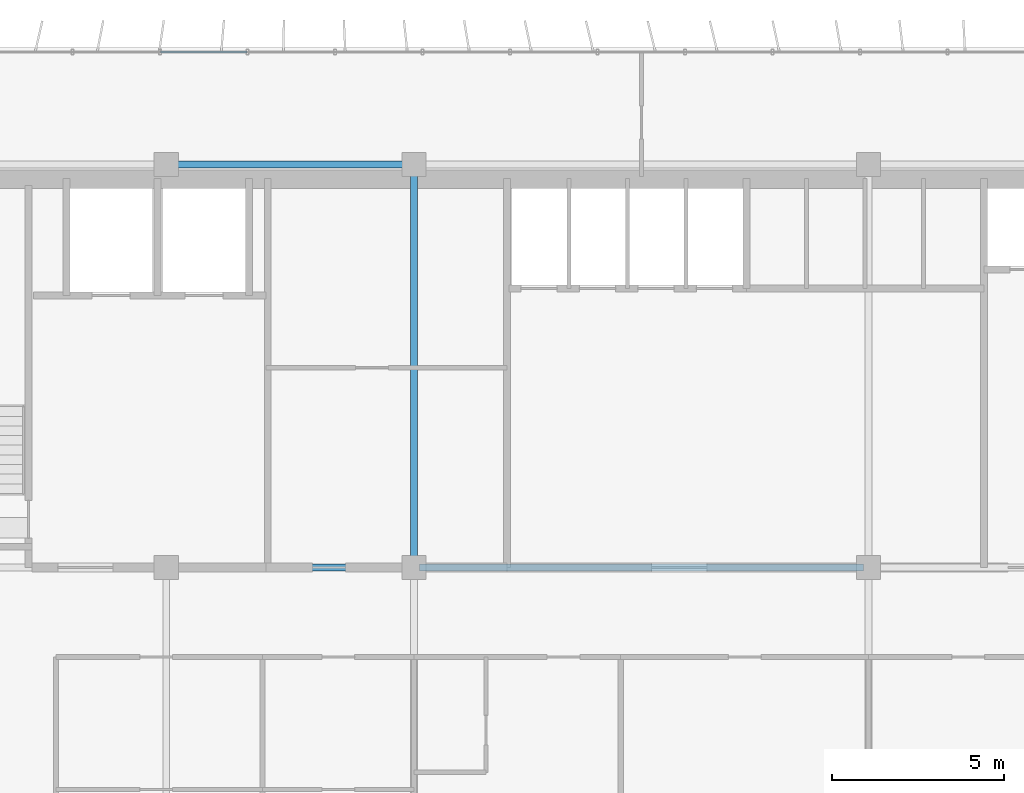
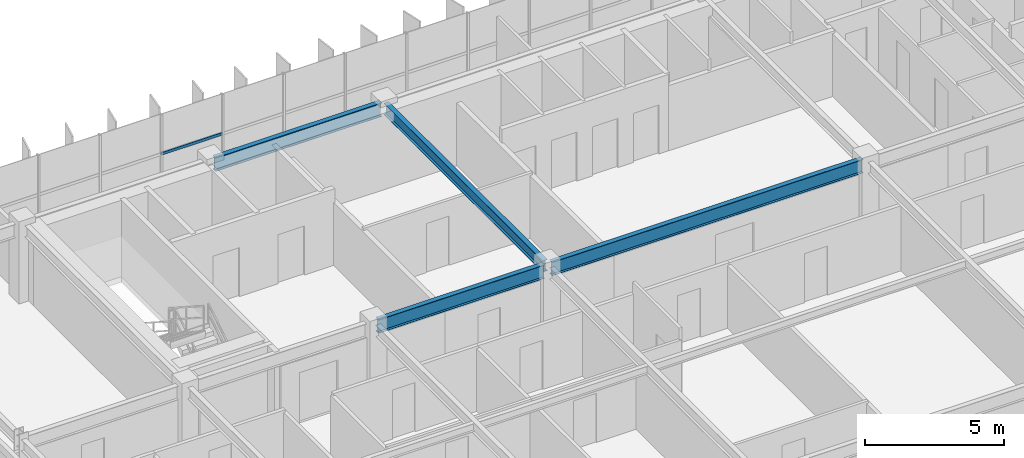
# One storey, part 5 of 21: 4 beams, 1 member, 1 element without a shape of its own.
"""IFC4 building model written with IfcOpenShell, lengths in metres."""

from ifc_helpers import new_model, si_unit, direction, frame, origin, origin_2d, place, context, subcontext, project, spatial, hollow_rectangle, i_section, extrude, source, transform, mapped, material, material_profile, profile_set, type_object, element, aggregate, save


model = new_model("IFC4")

# Units and contexts
model_context = context("Model", 3, precision=1e-05, world=origin(), true_north=direction((0.0, 1.0)))
body_context = subcontext(model_context, "Body", "Model", "MODEL_VIEW")
ifc_project = project(units=[si_unit("LENGTHUNIT", "METRE"), si_unit("AREAUNIT", "SQUARE_METRE"), si_unit("VOLUMEUNIT", "CUBIC_METRE"), si_unit("PLANEANGLEUNIT", "RADIAN"), si_unit("MASSUNIT", "GRAM", prefix="KILO")], contexts=[model_context])

# Site, building, storey
site_placement = place(None, origin())
site = spatial("IfcSite", under=ifc_project, at=site_placement, CompositionType="ELEMENT")
building_placement = place(site_placement, origin())
building = spatial("IfcBuilding", under=site, at=building_placement, Name="Trelvane Seafront Commons", CompositionType="ELEMENT")
storey_placement = place(building_placement, frame((0.0, 0.0, 153.699951171875)))
storey = spatial("IfcBuildingStorey", under=building, at=storey_placement, Name="L40", CompositionType="ELEMENT", Elevation=153.699951171875)

# Beams
ifc_material_1 = material(Name="Steel SM355 (S355)", Category="steel")
ifc_material_profile_1 = material_profile(ifc_material_1, i_section(OverallWidth=0.199951171875, OverallDepth=0.5, WebThickness=0.010009765625, FlangeThickness=0.01611328125, at=origin_2d()), Name="H-500x200x10x16")
ifc_profile_set_1 = profile_set([ifc_material_profile_1], Name="Steel SM355 (S355)")
beam_type_1 = type_object("IfcBeamType", Name="STR-BM-H500", PredefinedType="BEAM", material=ifc_profile_set_1)
shared_shape_1 = source(origin(), body_context, "Body", "SweptSolid", [
    extrude(i_section(OverallWidth=0.199951171875, OverallDepth=0.5, WebThickness=0.010009765625, FlangeThickness=0.01611328125, at=origin_2d()), origin(), (0.0, 0.0, 1.0), 11.39990234375),
])
beam_1_placement = place(storey_placement, frame((30.60009765625, 33.550048828125, 3.10009765625), z_axis=(0.0, 1.0, 0.0), x_axis=(-1.0, 0.0, 0.0)))
element("IfcBeam", 1, at=beam_1_placement, inside=storey, type_object=beam_type_1, Name="L40 Primary Girder G-40", PredefinedType="BEAM", context=body_context, shape_type="MappedRepresentation", body=[
    mapped(shared_shape_1, transform((0.0, 0.0, 0.0), x_axis=(1.0, 0.0, 0.0), y_axis=(0.0, 1.0, 0.0), z_axis=(0.0, 0.0, 1.0), scale=1.0)),
])
ifc_material_profile_2 = material_profile(ifc_material_1, i_section(OverallWidth=0.199951171875, OverallDepth=0.60009765625, WebThickness=0.010986328125, FlangeThickness=0.01708984375, at=origin_2d()), Name="H-600x200x11x17")
ifc_profile_set_2 = profile_set([ifc_material_profile_2], Name="Steel SM355 (S355)")
beam_type_2 = type_object("IfcBeamType", Name="STR-SPD-H600", PredefinedType="SPANDREL", material=ifc_profile_set_2)
shared_shape_2 = source(origin(), body_context, "Body", "SweptSolid", [
    extrude(i_section(OverallWidth=0.199951171875, OverallDepth=0.60009765625, WebThickness=0.010986328125, FlangeThickness=0.01708984375, at=origin_2d()), origin(), (0.0, 0.0, 1.0), 12.89990234375),
])
beam_2_placement = place(storey_placement, frame((30.75, 33.39990234375, 3.050048828125), z_axis=(1.0, 0.0, 0.0), x_axis=(0.0, 1.0, 0.0)))
element("IfcBeam", 2, at=beam_2_placement, inside=storey, type_object=beam_type_2, Name="L40 Primary Girder G-18", PredefinedType="SPANDREL", context=body_context, shape_type="MappedRepresentation", body=[
    mapped(shared_shape_2, transform((0.0, 0.0, 0.0), x_axis=(1.0, 0.0, 0.0), y_axis=(0.0, 1.0, 0.0), z_axis=(0.0, 0.0, 1.0), scale=1.0)),
])
shared_shape_3 = source(origin(), body_context, "Body", "SweptSolid", [
    extrude(i_section(OverallWidth=0.199951171875, OverallDepth=0.60009765625, WebThickness=0.010986328125, FlangeThickness=0.01708984375, at=origin_2d()), origin(), (0.0, 0.0, 1.0), 6.89990234375),
])
for number, where, z_axis, x_axis, name in (
    (3, (23.550048828125, 33.39990234375, 3.050048828125), (1.0, 0.0, 0.0), (0.0, 1.0, 0.0), "L40 Primary Girder G-17"),
    (4, (23.550048828125, 45.10009765625, 3.050048828125), (1.0, 0.0, 0.0), (0.0, 1.0, 0.0), "L40 Primary Girder G-24"),
):
    element("IfcBeam", number, at=place(storey_placement, frame(where, z_axis=z_axis, x_axis=x_axis)), inside=storey, type_object=beam_type_2, Name=name, PredefinedType="SPANDREL", context=body_context, shape_type="MappedRepresentation", body=[
        mapped(shared_shape_3, transform((0.0, 0.0, 0.0), x_axis=(1.0, 0.0, 0.0), y_axis=(0.0, 1.0, 0.0), z_axis=(0.0, 0.0, 1.0), scale=1.0)),
    ])

# Curtain wall, member
ifc_material_2 = material(Name="Anodised pale-silver aluminium", Category="aluminium")
curtain_wall_type = type_object("IfcCurtainWallType", Name="ARCH-CW5-UPTOWER", PredefinedType="NOTDEFINED", material=ifc_material_2)
curtain_wall_placement = place(storey_placement, origin())
curtain_wall = element("IfcCurtainWall", 5, at=curtain_wall_placement, inside=storey, type_object=curtain_wall_type, Name="CW-L40-0067", PredefinedType="NOTDEFINED")
ifc_material_profile_3 = material_profile(ifc_material_2, hollow_rectangle(XDim=0.070068359375, YDim=0.1201171875, WallThickness=0.00390625, at=origin_2d()), Name="TRAN-70x120x4")
ifc_profile_set_3 = profile_set([ifc_material_profile_3], Name="Anodised pale-silver aluminium")
member_type = type_object("IfcMemberType", Name="ARCH-CW-TRAN-120", PredefinedType="USERDEFINED", material=ifc_profile_set_3)
shared_shape_4 = source(origin(), body_context, "Body", "SweptSolid", [
    extrude(hollow_rectangle(XDim=0.070068359375, YDim=0.1201171875, WallThickness=0.00390625, at=origin_2d()), origin(), (0.0, 0.0, 1.0), 2.51708984375),
])
member_placement = place(storey_placement, frame((23.235595703125, 48.3701171875, 1.608154296875), z_axis=(1.0, 0.0, 0.0), x_axis=(0.0, 1.0, 0.0)))
member = element("IfcMember", 6, at=member_placement, type_object=member_type, Name="CW-L40-0067-T03", ObjectType="TRANSOM", PredefinedType="USERDEFINED", context=body_context, shape_type="MappedRepresentation", body=[
    mapped(shared_shape_4, transform((0.0, 0.0, 0.0), x_axis=(1.0, 0.0, 0.0), y_axis=(0.0, 1.0, 0.0), z_axis=(0.0, 0.0, 1.0), scale=1.0)),
])
aggregate(curtain_wall, [member])

save(model, "model.ifc")
